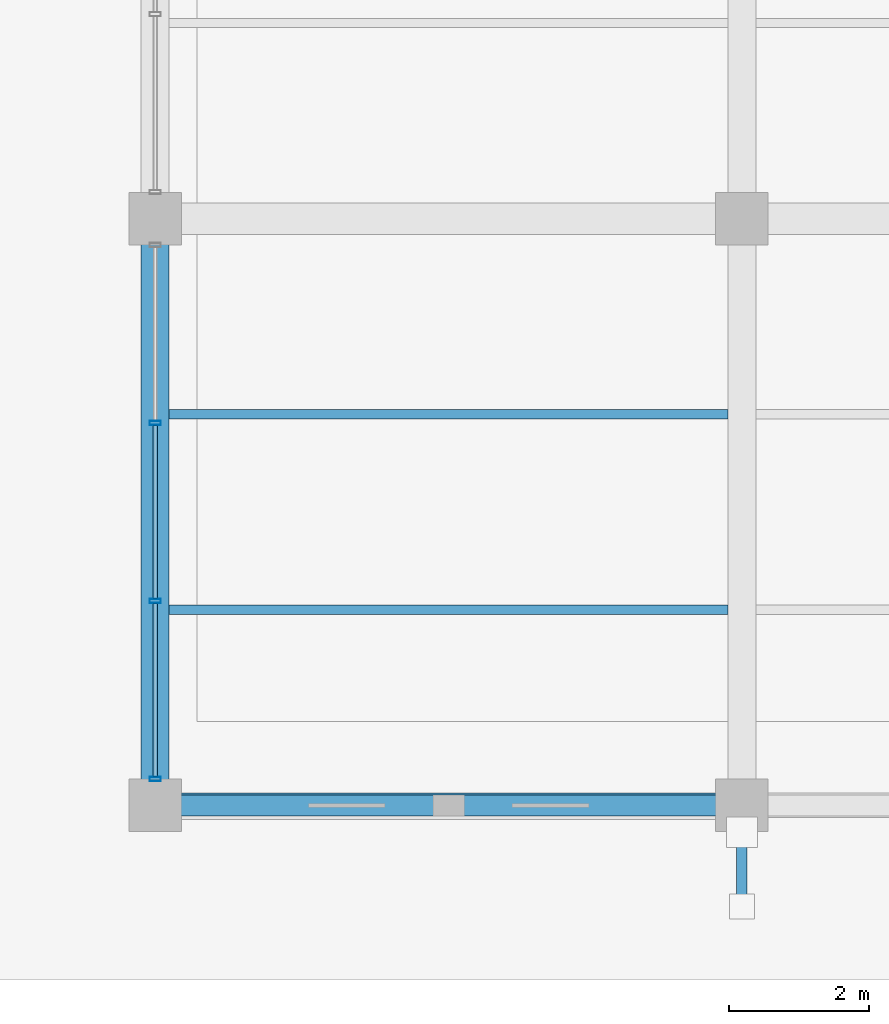
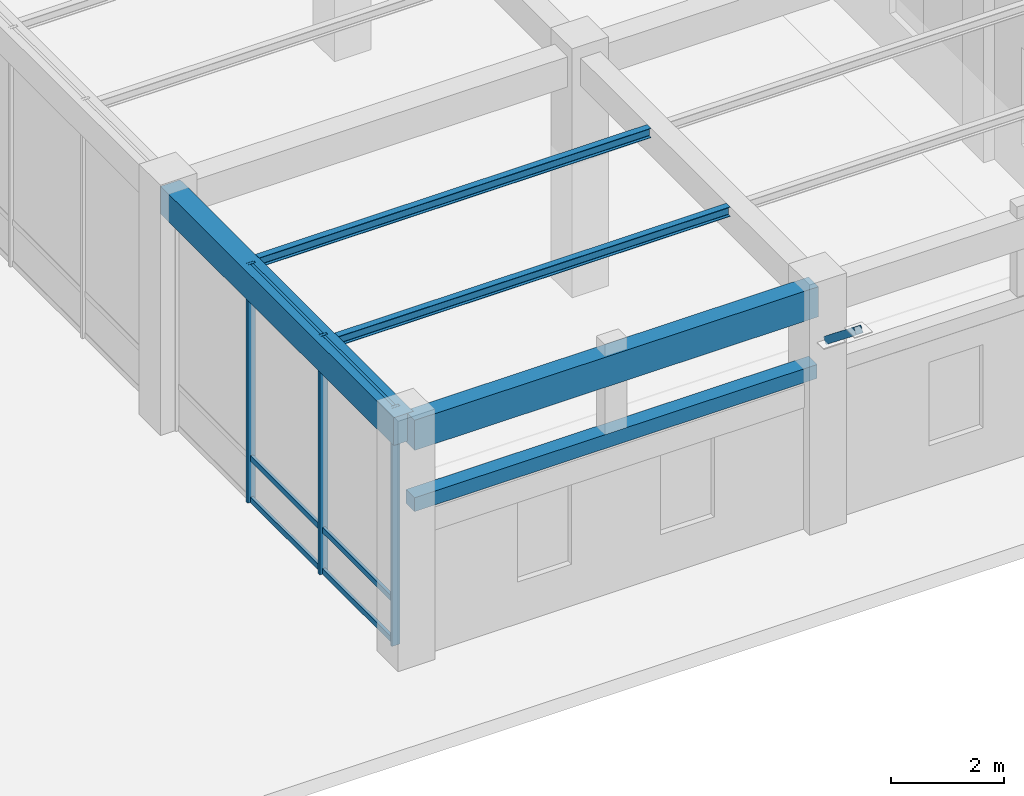
# One storey, part 15 of 157: 10 members, 5 beams, 1 element without a shape of its own.
"""IFC4 building model written with IfcOpenShell, lengths in metres."""

from ifc_helpers import new_model, si_unit, direction, frame, origin, origin_2d, place, context, subcontext, project, spatial, rectangle, hollow_rectangle, i_section, extrude, material, material_profile, profile_set, type_object, element, aggregate, save


model = new_model("IFC4")

# Units and contexts
model_context = context("Model", 3, precision=1e-05, world=origin(), true_north=direction((0.0, 1.0)))
body_context = subcontext(model_context, "Body", "Model", "MODEL_VIEW")
ifc_project = project(units=[si_unit("LENGTHUNIT", "METRE"), si_unit("AREAUNIT", "SQUARE_METRE"), si_unit("VOLUMEUNIT", "CUBIC_METRE"), si_unit("PLANEANGLEUNIT", "RADIAN"), si_unit("MASSUNIT", "GRAM", prefix="KILO"), si_unit("THERMODYNAMICTEMPERATUREUNIT", "KELVIN"), si_unit("POWERUNIT", "WATT")], contexts=[model_context])

# Site, building, storey
site_placement = place(None, origin())
site = spatial("IfcSite", under=ifc_project, at=site_placement, CompositionType="ELEMENT")
building_placement = place(site_placement, origin())
building = spatial("IfcBuilding", under=site, at=building_placement, Name="Darbajah Civic Hall", CompositionType="ELEMENT")
storey_placement = place(building_placement, origin())
storey = spatial("IfcBuildingStorey", under=building, at=storey_placement, Name="L00", CompositionType="ELEMENT", Elevation=0.0)

# Curtain wall, members
ifc_material_1 = material(Name="Anodised Bronze Aluminium and Low-E Glazing", Category="aluminium")
curtain_wall_type = type_object("IfcCurtainWallType", Name="Unitised Curtain Wall CW-98 7600x5150", PredefinedType="USERDEFINED", material=ifc_material_1)
curtain_wall_placement = place(storey_placement, origin())
curtain_wall = element("IfcCurtainWall", 1, at=curtain_wall_placement, inside=storey, type_object=curtain_wall_type, Name="L00 unitised curtain wall CW-V5-L00-S3-B1", ObjectType="UNITISED CURTAIN WALL", PredefinedType="USERDEFINED")
ifc_material_2 = material(Name="Anodised Bronze Aluminium", Category="aluminium")
ifc_material_profile_1 = material_profile(ifc_material_2, hollow_rectangle(XDim=0.06005859375, YDim=0.159912109375, WallThickness=0.00341796875, at=origin_2d()), Name="ALU MULLION 60x160")
ifc_profile_set_1 = profile_set([ifc_material_profile_1], Name="Anodised Bronze Aluminium")
member_type_1 = type_object("IfcMemberType", Name="ALU MULLION 60x160", PredefinedType="MULLION", material=ifc_profile_set_1)
member_1_placement = place(storey_placement, frame((50.39990234375, 5.474365234375, 0.0), z_axis=(0.0, 0.0, 1.0), x_axis=(0.0, -1.0, 0.0)))
member_1 = element("IfcMember", 2, at=member_1_placement, type_object=member_type_1, Name="CW-V5-L00-S3-B1 mullion 2", PredefinedType="MULLION", context=body_context, shape_type="SweptSolid", body=[
    extrude(hollow_rectangle(XDim=0.06005859375, YDim=0.159912109375, WallThickness=0.00341796875, at=origin_2d()), origin(), (0.0, 0.0, 1.0), 5.139892578125),
])
member_2_placement = place(storey_placement, frame((50.39990234375, 2.92578125, 0.0), z_axis=(0.0, 0.0, 1.0), x_axis=(0.0, -1.0, 0.0)))
member_2 = element("IfcMember", 3, at=member_2_placement, type_object=member_type_1, Name="CW-V5-L00-S3-B1 mullion 3", PredefinedType="MULLION", context=body_context, shape_type="SweptSolid", body=[
    extrude(hollow_rectangle(XDim=0.06005859375, YDim=0.159912109375, WallThickness=0.00341796875, at=origin_2d()), origin(), (0.0, 0.0, 1.0), 5.139892578125),
])
member_3_placement = place(storey_placement, frame((50.39990234375, 0.376953125, 0.0), z_axis=(0.0, 0.0, 1.0), x_axis=(0.0, -1.0, 0.0)))
member_3 = element("IfcMember", 4, at=member_3_placement, type_object=member_type_1, Name="CW-V5-L00-S3-B1 mullion 4", PredefinedType="MULLION", context=body_context, shape_type="SweptSolid", body=[
    extrude(hollow_rectangle(XDim=0.06005859375, YDim=0.159912109375, WallThickness=0.00341796875, at=origin_2d()), origin(), (0.0, 0.0, 1.0), 5.139892578125),
])
ifc_material_profile_2 = material_profile(ifc_material_2, hollow_rectangle(XDim=0.06005859375, YDim=0.1201171875, WallThickness=0.003173828125, at=origin_2d()), Name="ALU TRANSOM 60x120")
ifc_profile_set_2 = profile_set([ifc_material_profile_2], Name="Anodised Bronze Aluminium")
member_type_2 = type_object("IfcMemberType", Name="ALU TRANSOM 60x120", PredefinedType="USERDEFINED", material=ifc_profile_set_2)
member_4_placement = place(storey_placement, frame((50.39990234375, 5.439208984375, 0.06005859375), z_axis=(0.0, -1.0, 0.0), x_axis=(1.0, 0.0, 0.0)))
member_4 = element("IfcMember", 5, at=member_4_placement, type_object=member_type_2, Name="CW-V5-L00-S3-B1 transom 2.1", ObjectType="TRANSOM", PredefinedType="USERDEFINED", context=body_context, shape_type="SweptSolid", body=[
    extrude(hollow_rectangle(XDim=0.06005859375, YDim=0.1201171875, WallThickness=0.003173828125, at=origin_2d()), origin(), (0.0, 0.0, 1.0), 2.478515625),
])
member_5_placement = place(storey_placement, frame((50.39990234375, 5.439208984375, 0.949951171875), z_axis=(0.0, -1.0, 0.0), x_axis=(1.0, 0.0, 0.0)))
member_5 = element("IfcMember", 6, at=member_5_placement, type_object=member_type_2, Name="CW-V5-L00-S3-B1 transom 2.2", ObjectType="TRANSOM", PredefinedType="USERDEFINED", context=body_context, shape_type="SweptSolid", body=[
    extrude(hollow_rectangle(XDim=0.06005859375, YDim=0.1201171875, WallThickness=0.003173828125, at=origin_2d()), origin(), (0.0, 0.0, 1.0), 2.478515625),
])
member_6_placement = place(storey_placement, frame((50.39990234375, 5.439208984375, 5.080078125), z_axis=(0.0, -1.0, 0.0), x_axis=(1.0, 0.0, 0.0)))
member_6 = element("IfcMember", 7, at=member_6_placement, type_object=member_type_2, Name="CW-V5-L00-S3-B1 transom 2.3", ObjectType="TRANSOM", PredefinedType="USERDEFINED", context=body_context, shape_type="SweptSolid", body=[
    extrude(hollow_rectangle(XDim=0.06005859375, YDim=0.1201171875, WallThickness=0.003173828125, at=origin_2d()), origin(), (0.0, 0.0, 1.0), 2.478515625),
])
member_7_placement = place(storey_placement, frame((50.39990234375, 2.890625, 0.06005859375), z_axis=(0.0, -1.0, 0.0), x_axis=(1.0, 0.0, 0.0)))
member_7 = element("IfcMember", 8, at=member_7_placement, type_object=member_type_2, Name="CW-V5-L00-S3-B1 transom 3.1", ObjectType="TRANSOM", PredefinedType="USERDEFINED", context=body_context, shape_type="SweptSolid", body=[
    extrude(hollow_rectangle(XDim=0.06005859375, YDim=0.1201171875, WallThickness=0.003173828125, at=origin_2d()), origin(), (0.0, 0.0, 1.0), 2.478515625),
])
member_8_placement = place(storey_placement, frame((50.39990234375, 2.890625, 0.949951171875), z_axis=(0.0, -1.0, 0.0), x_axis=(1.0, 0.0, 0.0)))
member_8 = element("IfcMember", 9, at=member_8_placement, type_object=member_type_2, Name="CW-V5-L00-S3-B1 transom 3.2", ObjectType="TRANSOM", PredefinedType="USERDEFINED", context=body_context, shape_type="SweptSolid", body=[
    extrude(hollow_rectangle(XDim=0.06005859375, YDim=0.1201171875, WallThickness=0.003173828125, at=origin_2d()), origin(), (0.0, 0.0, 1.0), 2.478515625),
])
member_9_placement = place(storey_placement, frame((50.39990234375, 2.890625, 5.080078125), z_axis=(0.0, -1.0, 0.0), x_axis=(1.0, 0.0, 0.0)))
member_9 = element("IfcMember", 10, at=member_9_placement, type_object=member_type_2, Name="CW-V5-L00-S3-B1 transom 3.3", ObjectType="TRANSOM", PredefinedType="USERDEFINED", context=body_context, shape_type="SweptSolid", body=[
    extrude(hollow_rectangle(XDim=0.06005859375, YDim=0.1201171875, WallThickness=0.003173828125, at=origin_2d()), origin(), (0.0, 0.0, 1.0), 2.478515625),
])
aggregate(curtain_wall, [member_1, member_2, member_3, member_4, member_5, member_6, member_7, member_8, member_9])

# Beams
ifc_material_3 = material(Name="Concrete C45/55", Category="concrete")
ifc_material_profile_3 = material_profile(ifc_material_3, rectangle(XDim=0.39990234375, YDim=0.60009765625, at=origin_2d()), Name="RC BEAM 400x600")
ifc_profile_set_3 = profile_set([ifc_material_profile_3], Name="Concrete C45/55")
beam_type_1 = type_object("IfcBeamType", Name="RC BEAM 400x600", PredefinedType="BEAM", material=ifc_profile_set_3)
beam_1_placement = place(storey_placement, frame((50.39990234375, 0.080078125, 4.840087890625), z_axis=(0.0, 1.0, 0.0), x_axis=(-1.0, 0.0, 0.0)))
element("IfcBeam", 11, at=beam_1_placement, inside=storey, type_object=beam_type_1, Name="L00 beam BM-4060", PredefinedType="BEAM", context=body_context, shape_type="SweptSolid", body=[
    extrude(rectangle(XDim=0.39990234375, YDim=0.60009765625, at=origin_2d()), origin(), (0.0, 0.0, 1.0), 8.239990234375),
])
ifc_material_profile_4 = material_profile(ifc_material_3, rectangle(XDim=0.300048828125, YDim=0.300048828125, at=origin_2d()), Name="RC LINTEL 300x300")
ifc_profile_set_4 = profile_set([ifc_material_profile_4], Name="Concrete C45/55")
beam_type_2 = type_object("IfcBeamType", Name="RC LINTEL 300x300", PredefinedType="LINTEL", material=ifc_profile_set_4)
beam_2_placement = place(storey_placement, frame((50.489990234375, 0.0, 3.300048828125), z_axis=(1.0, 0.0, 0.0), x_axis=(0.0, 1.0, 0.0)))
element("IfcBeam", 12, at=beam_2_placement, inside=storey, type_object=beam_type_2, Name="L00 stone portal lintel LN-3030", PredefinedType="LINTEL", context=body_context, shape_type="SweptSolid", body=[
    extrude(rectangle(XDim=0.300048828125, YDim=0.300048828125, at=origin_2d()), origin(), (0.0, 0.0, 1.0), 8.219970703125),
])
ifc_material_profile_5 = material_profile(ifc_material_3, rectangle(XDim=0.35009765625, YDim=0.64990234375, at=origin_2d()), Name="RC SPANDREL 350x650")
ifc_profile_set_5 = profile_set([ifc_material_profile_5], Name="Concrete C45/55")
beam_type_3 = type_object("IfcBeamType", Name="RC SPANDREL 350x650", PredefinedType="SPANDREL", material=ifc_profile_set_5)
beam_3_placement = place(storey_placement, frame((50.47998046875, 0.0, 4.81494140625), z_axis=(1.0, 0.0, 0.0), x_axis=(0.0, 1.0, 0.0)))
element("IfcBeam", 13, at=beam_3_placement, inside=storey, type_object=beam_type_3, Name="L00 beam SP-3565", PredefinedType="SPANDREL", context=body_context, shape_type="SweptSolid", body=[
    extrude(rectangle(XDim=0.35009765625, YDim=0.64990234375, at=origin_2d()), origin(), (0.0, 0.0, 1.0), 8.239990234375),
])

# Member
ifc_material_4 = material(Name="Steel S355JR", Category="steel")
ifc_material_profile_6 = material_profile(ifc_material_4, hollow_rectangle(XDim=0.14990234375, YDim=0.14990234375, WallThickness=0.008056640625, at=origin_2d()), Name="SHS 150x150x8")
ifc_profile_set_6 = profile_set([ifc_material_profile_6], Name="Steel S355JR")
member_type_3 = type_object("IfcMemberType", Name="SHS 150x150x8", PredefinedType="STRUT", material=ifc_profile_set_6)
member_10_placement = place(storey_placement, frame((58.800048828125, -0.383056640625, 4.10009765625), z_axis=(0.0, -0.78217676033, 0.623056591009), x_axis=(1.0, 0.0, 0.0)))
element("IfcMember", 14, at=member_10_placement, inside=storey, type_object=member_type_3, Name="L00 chhajja canopy raking strut 10", PredefinedType="STRUT", context=body_context, shape_type="SweptSolid", body=[
    extrude(hollow_rectangle(XDim=0.14990234375, YDim=0.14990234375, WallThickness=0.008056640625, at=origin_2d()), origin(), (0.0, 0.0, 1.0), 1.364013671875),
])

# Beams
ifc_material_profile_7 = material_profile(ifc_material_4, i_section(OverallWidth=0.1337890625, OverallDepth=0.206787109375, WebThickness=0.00634765625, FlangeThickness=0.009521484375, FilletRadius=0.007568359375, at=origin_2d()), Name="UB 203x133x30")
ifc_profile_set_7 = profile_set([ifc_material_profile_7], Name="Steel S355JR")
beam_type_4 = type_object("IfcBeamType", Name="UB 203x133x30", PredefinedType="JOIST", material=ifc_profile_set_7)
for number, where, z_axis, x_axis, name in (
    (15, (50.60009765625, 2.800048828125, 5.03662109375), (1.0, 0.0, 0.0), (0.0, 1.0, 0.0), "L00 beam SJ-203"),
    (16, (50.60009765625, 5.60009765625, 5.03662109375), (1.0, 0.0, 0.0), (0.0, 1.0, 0.0), "L00 beam SJ-203"),
):
    element("IfcBeam", number, at=place(storey_placement, frame(where, z_axis=z_axis, x_axis=x_axis)), inside=storey, type_object=beam_type_4, Name=name, PredefinedType="JOIST", context=body_context, shape_type="SweptSolid", body=[
        extrude(i_section(OverallWidth=0.1337890625, OverallDepth=0.206787109375, WebThickness=0.00634765625, FlangeThickness=0.009521484375, FilletRadius=0.007568359375, at=origin_2d()), origin(), (0.0, 0.0, 1.0), 8.0),
    ])

save(model, "model.ifc")
